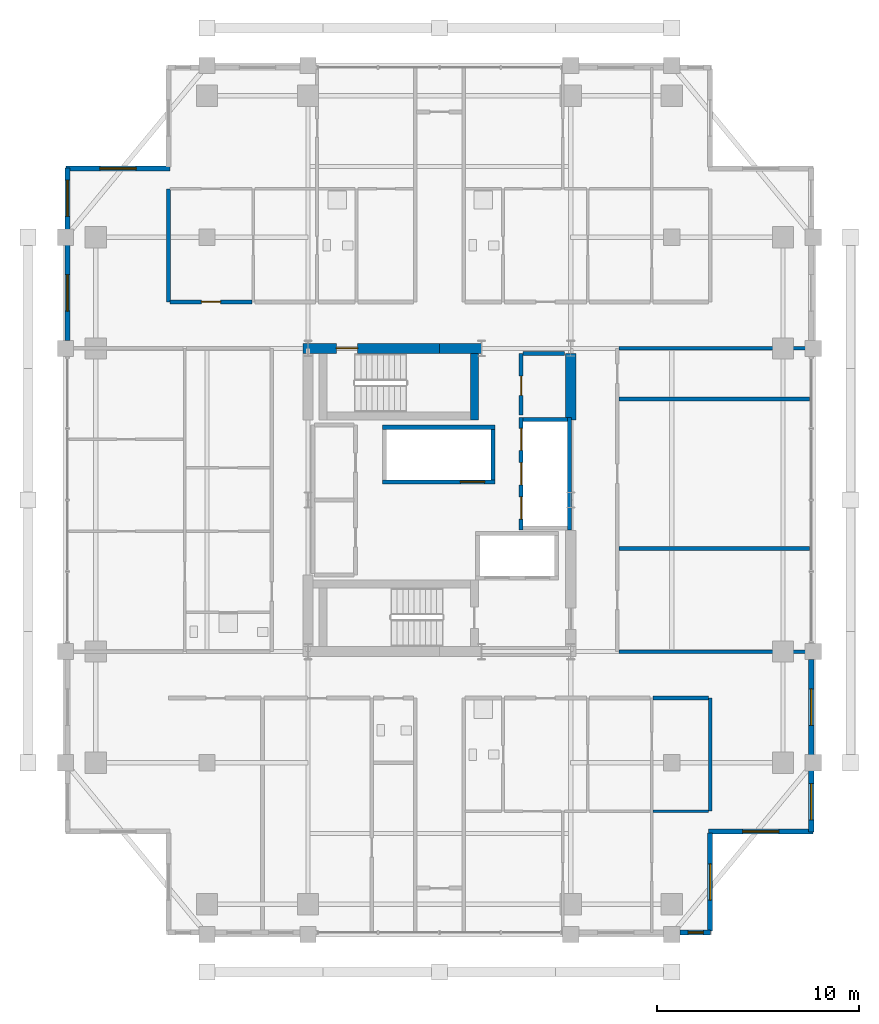
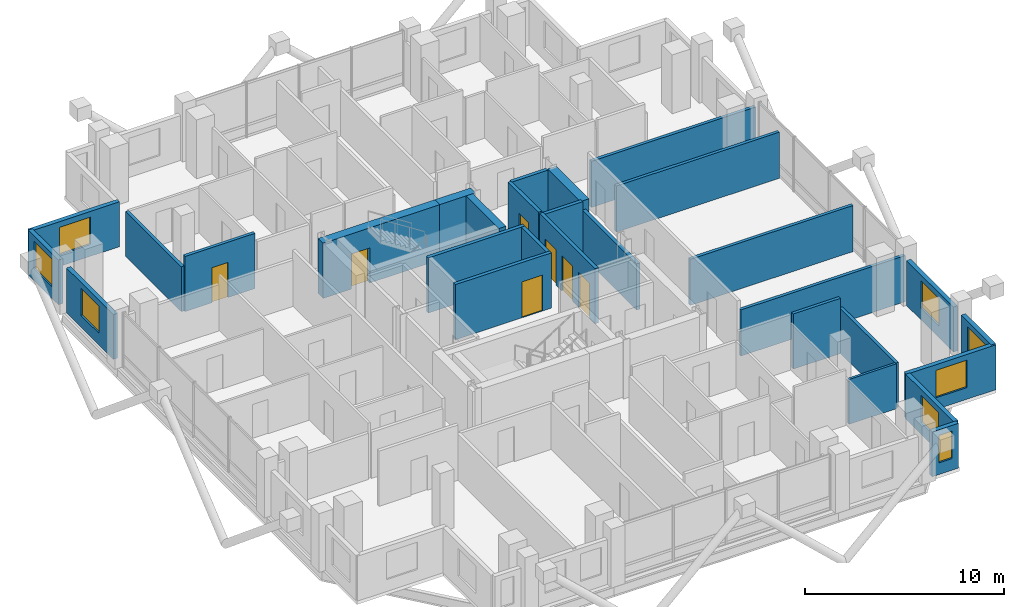
# One storey, part 20 of 24: 29 walls, 8 windows, 7 doors, 15 openings.
"""IFC4 building model written with IfcOpenShell, lengths in metres."""

from ifc_helpers import new_model, si_unit, direction, frame, frame_2d, origin, place, context, subcontext, project, spatial, rectangle, extrude, material, layer, layer_set, type_object, element, fill, save


model = new_model("IFC4")

# Units and contexts
model_context = context("Model", 3, precision=1e-05, world=origin(), true_north=direction((0.0, 1.0)))
body_context = subcontext(model_context, "Body", "Model", "MODEL_VIEW")
ifc_project = project(units=[si_unit("LENGTHUNIT", "METRE"), si_unit("AREAUNIT", "SQUARE_METRE"), si_unit("VOLUMEUNIT", "CUBIC_METRE"), si_unit("PLANEANGLEUNIT", "RADIAN"), si_unit("MASSUNIT", "GRAM", prefix="KILO")], contexts=[model_context])

# Site, building, storey
site_placement = place(None, origin())
site = spatial("IfcSite", under=ifc_project, at=site_placement, CompositionType="ELEMENT")
building_placement = place(site_placement, origin())
building = spatial("IfcBuilding", under=site, at=building_placement, Name="Barlavira Tower and Art Museum", CompositionType="ELEMENT")
storey_placement = place(building_placement, frame((0.0, 0.0, 183.60009765625)))
storey = spatial("IfcBuildingStorey", under=building, at=storey_placement, Name="L47", CompositionType="ELEMENT", Elevation=183.60009765625)

# Wall, opening, door
ifc_material_1 = material(Name="Concrete C60", Category="concrete")
ifc_layer_1 = layer(ifc_material_1, 0.5, Name="Concrete C60")
ifc_layer_set_1 = layer_set([ifc_layer_1], Name="Concrete C60")
wall_type_1 = type_object("IfcWallType", Name="Core Structural Shear Wall 500 Concrete C60", PredefinedType="SHEAR", material=ifc_layer_set_1)
wall_1_placement = place(storey_placement, frame((-6.75, 7.5, 0.0), z_axis=(0.0, 0.0, 1.0), x_axis=(1.0, 0.0, 0.0)))
wall_1 = element("IfcWall", 1, at=wall_1_placement, inside=storey, type_object=wall_type_1, Name="L47 Core Shear Wall CS-NW", PredefinedType="SHEAR", context=body_context, shape_type="SweptSolid", body=[
    extrude(rectangle(XDim=6.75, YDim=0.5, at=frame_2d((3.375, 0.0))), origin(), (0.0, 0.0, 1.0), 3.3798828125),
])
opening_1_placement = place(wall_1_placement, frame((1.64990234375, 0.0, 0.0)))
opening_1 = element("IfcOpeningElement", 2, at=opening_1_placement, cuts=wall_1, Name="Opening FD-90", PredefinedType="OPENING", context=body_context, shape_type="SweptSolid", body=[
    extrude(rectangle(XDim=1.050048828125, YDim=2.14990234375, at=frame_2d((0.52490234375, 1.074951171875))), frame((0.0, 0.260009765625, 0.0), z_axis=(0.0, -1.0, 0.0), x_axis=(1.0, 0.0, 0.0)), (0.0, 0.0, 1.0), 0.52001953125),
])
ifc_material_2 = material(Name="Brushed stainless steel", Category="steel")
door_type_1 = type_object("IfcDoorType", Name="Stair and Refuge Fire Door 1050x2150 FD90S", OperationType="NOTDEFINED", PredefinedType="DOOR", material=ifc_material_2)
door_1_placement = place(opening_1_placement, origin())
door_1 = element("IfcDoor", 3, at=door_1_placement, inside=storey, type_object=door_type_1, Name="L47 Stair ST-T2 Fire Door", OperationType="SINGLE_SWING_LEFT", OverallHeight=2.14990234375, OverallWidth=1.050048828125, PredefinedType="DOOR", context=body_context, shape_type="SweptSolid", body=[
    extrude(rectangle(XDim=1.050048828125, YDim=2.14990234375, at=frame_2d((0.52490234375, 1.074951171875))), frame((0.0, 0.02490234375, 0.0), z_axis=(0.0, -1.0, 0.0), x_axis=(1.0, 0.0, 0.0)), (0.0, 0.0, 1.0), 0.050048828125),
])
fill(opening_1, door_1)

# Walls
wall_2_placement = place(storey_placement, frame((0.0, 7.5, 0.0), z_axis=(0.0, 0.0, 1.0), x_axis=(1.0, 0.0, 0.0)))
element("IfcWall", 4, at=wall_2_placement, inside=storey, type_object=wall_type_1, Name="L47 Core Shear Wall CS-EN", PredefinedType="SHEAR", context=body_context, shape_type="SweptSolid", body=[
    extrude(rectangle(XDim=2.080078125, YDim=0.5, at=frame_2d((1.0400390625, 0.0))), origin(), (0.0, 0.0, 1.0), 3.3798828125),
])
wall_3_placement = place(storey_placement, frame((6.5, 3.949951171875, 0.0), z_axis=(0.0, 0.0, 1.0), x_axis=(0.0, 1.0, 0.0)))
element("IfcWall", 5, at=wall_3_placement, inside=storey, type_object=wall_type_1, Name="L47 Core Shear Wall CS-E2", PredefinedType="SHEAR", context=body_context, shape_type="SweptSolid", body=[
    extrude(rectangle(XDim=3.300048828125, YDim=0.5, at=frame_2d((1.64990234375, 0.0))), origin(), (0.0, 0.0, 1.0), 3.3798828125),
])

# Wall, openings, doors
ifc_material_3 = material(Name="Autoclaved aerated concrete masonry", Category="masonry")
ifc_layer_2 = layer(ifc_material_3, 0.199951171875, Name="Autoclaved aerated concrete masonry")
ifc_layer_set_2 = layer_set([ifc_layer_2], Name="Autoclaved aerated concrete masonry")
wall_type_2 = type_object("IfcWallType", Name="Fire Compartment and Shaft Wall 200", PredefinedType="SOLIDWALL", material=ifc_layer_set_2)
wall_4_placement = place(storey_placement, frame((4.050048828125, -1.489990234375, 0.0), z_axis=(0.0, 0.0, 1.0), x_axis=(0.0, 1.0, 0.0)))
wall_4 = element("IfcWall", 6, at=wall_4_placement, inside=storey, type_object=wall_type_2, Name="L47 Mid-Rise Lift Front Shaft Wall", PredefinedType="SOLIDWALL", context=body_context, shape_type="SweptSolid", body=[
    extrude(rectangle(XDim=5.580078125, YDim=0.199951171875, at=frame_2d((2.7900390625, 0.0))), origin(), (0.0, 0.0, 1.0), 3.3798828125),
])
opening_2_placement = place(wall_4_placement, frame((0.5400390625, 0.0, 0.0)))
opening_2 = element("IfcOpeningElement", 7, at=opening_2_placement, cuts=wall_4, Name="Opening LD-P", PredefinedType="OPENING", context=body_context, shape_type="SweptSolid", body=[
    extrude(rectangle(XDim=1.10009765625, YDim=2.14990234375, at=frame_2d((0.550048828125, 1.074951171875))), frame((0.0, 0.10986328125, 0.0), z_axis=(0.0, -1.0, 0.0), x_axis=(1.0, 0.0, 0.0)), (0.0, 0.0, 1.0), 0.219970703125),
])
opening_3_placement = place(wall_4_placement, frame((2.239990234375, 0.0, 0.0)))
opening_3 = element("IfcOpeningElement", 8, at=opening_3_placement, cuts=wall_4, Name="Opening LD-P", PredefinedType="OPENING", context=body_context, shape_type="SweptSolid", body=[
    extrude(rectangle(XDim=1.10009765625, YDim=2.14990234375, at=frame_2d((0.550048828125, 1.074951171875))), frame((0.0, 0.10986328125, 0.0), z_axis=(0.0, -1.0, 0.0), x_axis=(1.0, 0.0, 0.0)), (0.0, 0.0, 1.0), 0.219970703125),
])
opening_4_placement = place(wall_4_placement, frame((3.93994140625, 0.0, 0.0)))
opening_4 = element("IfcOpeningElement", 9, at=opening_4_placement, cuts=wall_4, Name="Opening LD-P", PredefinedType="OPENING", context=body_context, shape_type="SweptSolid", body=[
    extrude(rectangle(XDim=1.10009765625, YDim=2.14990234375, at=frame_2d((0.550048828125, 1.074951171875))), frame((0.0, 0.10986328125, 0.0), z_axis=(0.0, -1.0, 0.0), x_axis=(1.0, 0.0, 0.0)), (0.0, 0.0, 1.0), 0.219970703125),
])
door_type_2 = type_object("IfcDoorType", Name="Passenger Lift Sliding Landing Door 1100x2150 FD60", OperationType="NOTDEFINED", PredefinedType="DOOR", material=ifc_material_2)
door_2_placement = place(opening_2_placement, origin())
door_2 = element("IfcDoor", 10, at=door_2_placement, inside=storey, type_object=door_type_2, Name="L47 Lift PM1 Sliding Landing Door", OperationType="DOUBLE_DOOR_SLIDING", OverallHeight=2.14990234375, OverallWidth=1.10009765625, PredefinedType="DOOR", context=body_context, shape_type="SweptSolid", body=[
    extrude(rectangle(XDim=1.10009765625, YDim=2.14990234375, at=frame_2d((0.550048828125, 1.074951171875))), frame((0.0, 0.02490234375, 0.0), z_axis=(0.0, -1.0, 0.0), x_axis=(1.0, 0.0, 0.0)), (0.0, 0.0, 1.0), 0.050048828125),
])
fill(opening_2, door_2)
door_3_placement = place(opening_3_placement, origin())
door_3 = element("IfcDoor", 11, at=door_3_placement, inside=storey, type_object=door_type_2, Name="L47 Lift PM2 Sliding Landing Door", OperationType="DOUBLE_DOOR_SLIDING", OverallHeight=2.14990234375, OverallWidth=1.10009765625, PredefinedType="DOOR", context=body_context, shape_type="SweptSolid", body=[
    extrude(rectangle(XDim=1.10009765625, YDim=2.14990234375, at=frame_2d((0.550048828125, 1.074951171875))), frame((0.0, 0.02490234375, 0.0), z_axis=(0.0, -1.0, 0.0), x_axis=(1.0, 0.0, 0.0)), (0.0, 0.0, 1.0), 0.050048828125),
])
fill(opening_3, door_3)
door_4_placement = place(opening_4_placement, origin())
door_4 = element("IfcDoor", 12, at=door_4_placement, inside=storey, type_object=door_type_2, Name="L47 Lift PM3 Sliding Landing Door", OperationType="DOUBLE_DOOR_SLIDING", OverallHeight=2.14990234375, OverallWidth=1.10009765625, PredefinedType="DOOR", context=body_context, shape_type="SweptSolid", body=[
    extrude(rectangle(XDim=1.10009765625, YDim=2.14990234375, at=frame_2d((0.550048828125, 1.074951171875))), frame((0.0, 0.02490234375, 0.0), z_axis=(0.0, -1.0, 0.0), x_axis=(1.0, 0.0, 0.0)), (0.0, 0.0, 1.0), 0.050048828125),
])
fill(opening_4, door_4)

# Walls
wall_5_placement = place(storey_placement, frame((6.449951171875, -1.489990234375, 0.0), z_axis=(0.0, 0.0, 1.0), x_axis=(0.0, 1.0, 0.0)))
element("IfcWall", 13, at=wall_5_placement, inside=storey, type_object=wall_type_2, Name="L47 Mid-Rise Lift Back Shaft Wall", PredefinedType="SOLIDWALL", context=body_context, shape_type="SweptSolid", body=[
    extrude(rectangle(XDim=5.580078125, YDim=0.199951171875, at=frame_2d((2.7900390625, 0.0))), origin(), (0.0, 0.0, 1.0), 2.825927734375),
])
wall_6_placement = place(storey_placement, frame((4.14990234375, 3.989990234375, 0.0), z_axis=(0.0, 0.0, 1.0), x_axis=(1.0, 0.0, 0.0)))
element("IfcWall", 14, at=wall_6_placement, inside=storey, type_object=wall_type_2, Name="L47 Mid-Rise Lift North Shaft Wall", PredefinedType="SOLIDWALL", context=body_context, shape_type="SweptSolid", body=[
    extrude(rectangle(XDim=2.2001953125, YDim=0.199951171875, at=frame_2d((1.10009765625, 0.0))), origin(), (0.0, 0.0, 1.0), 3.3798828125),
])

# Wall, opening, door
wall_7_placement = place(storey_placement, frame((-2.820068359375, 0.89990234375, 0.0), z_axis=(0.0, 0.0, 1.0), x_axis=(1.0, 0.0, 0.0)))
wall_7 = element("IfcWall", 15, at=wall_7_placement, inside=storey, type_object=wall_type_2, Name="L47 High-Rise & Service Lift Front Wall", PredefinedType="SOLIDWALL", context=body_context, shape_type="SweptSolid", body=[
    extrude(rectangle(XDim=5.580078125, YDim=0.199951171875, at=frame_2d((2.7900390625, 0.0))), origin(), (0.0, 0.0, 1.0), 3.3798828125),
])
opening_5_placement = place(wall_7_placement, frame((3.860107421875, 0.0, 0.0)))
opening_5 = element("IfcOpeningElement", 16, at=opening_5_placement, cuts=wall_7, Name="Opening LD-F", PredefinedType="OPENING", context=body_context, shape_type="SweptSolid", body=[
    extrude(rectangle(XDim=1.199951171875, YDim=2.199951171875, at=frame_2d((0.60009765625, 1.10009765625))), frame((0.0, 0.10986328125, 0.0), z_axis=(0.0, -1.0, 0.0), x_axis=(1.0, 0.0, 0.0)), (0.0, 0.0, 1.0), 0.219970703125),
])
door_type_3 = type_object("IfcDoorType", Name="Firefighting and Service Lift Sliding Door 1200x2200 FD120", OperationType="NOTDEFINED", PredefinedType="DOOR", material=ifc_material_2)
door_5_placement = place(opening_5_placement, origin())
door_5 = element("IfcDoor", 17, at=door_5_placement, inside=storey, type_object=door_type_3, Name="L47 Stretcher Service Lift SL1 Sliding Door", OperationType="DOUBLE_DOOR_SLIDING", OverallHeight=2.199951171875, OverallWidth=1.199951171875, PredefinedType="DOOR", context=body_context, shape_type="SweptSolid", body=[
    extrude(rectangle(XDim=1.199951171875, YDim=2.199951171875, at=frame_2d((0.60009765625, 1.10009765625))), frame((0.0, 0.02490234375, 0.0), z_axis=(0.0, -1.0, 0.0), x_axis=(1.0, 0.0, 0.0)), (0.0, 0.0, 1.0), 0.050048828125),
])
fill(opening_5, door_5)

# Walls
wall_8_placement = place(storey_placement, frame((-2.820068359375, 3.60009765625, 0.0), z_axis=(0.0, 0.0, 1.0), x_axis=(1.0, 0.0, 0.0)))
element("IfcWall", 18, at=wall_8_placement, inside=storey, type_object=wall_type_2, Name="L47 High-Rise & Service Lift Back Wall", PredefinedType="SOLIDWALL", context=body_context, shape_type="SweptSolid", body=[
    extrude(rectangle(XDim=5.580078125, YDim=0.199951171875, at=frame_2d((2.7900390625, 0.0))), origin(), (0.0, 0.0, 1.0), 3.3798828125),
])
wall_9_placement = place(storey_placement, frame((2.659912109375, 1.0, 0.0), z_axis=(0.0, 0.0, 1.0), x_axis=(0.0, 1.0, 0.0)))
element("IfcWall", 19, at=wall_9_placement, inside=storey, type_object=wall_type_2, Name="L47 High-Rise & Service Lift East Wall", PredefinedType="SOLIDWALL", context=body_context, shape_type="SweptSolid", body=[
    extrude(rectangle(XDim=2.5, YDim=0.199951171875, at=frame_2d((1.25, 0.0))), origin(), (0.0, 0.0, 1.0), 3.3798828125),
])

# Wall, opening, door
wall_10_placement = place(storey_placement, frame((4.050048828125, 4.199951171875, 0.0), z_axis=(0.0, 0.0, 1.0), x_axis=(0.0, 1.0, 0.0)))
wall_10 = element("IfcWall", 20, at=wall_10_placement, inside=storey, type_object=wall_type_2, Name="L47 Partition Wall 17", PredefinedType="SOLIDWALL", context=body_context, shape_type="SweptSolid", body=[
    extrude(rectangle(XDim=3.050048828125, YDim=0.199951171875, at=frame_2d((1.52490234375, 0.0))), origin(), (0.0, 0.0, 1.0), 3.3798828125),
])
opening_6_placement = place(wall_10_placement, frame((0.97509765625, 0.0, 0.0)))
opening_6 = element("IfcOpeningElement", 21, at=opening_6_placement, cuts=wall_10, Name="Opening FD-60", PredefinedType="OPENING", context=body_context, shape_type="SweptSolid", body=[
    extrude(rectangle(XDim=0.949951171875, YDim=2.14990234375, at=frame_2d((0.47509765625, 1.074951171875))), frame((0.0, 0.10986328125, 0.0), z_axis=(0.0, -1.0, 0.0), x_axis=(1.0, 0.0, 0.0)), (0.0, 0.0, 1.0), 0.219970703125),
])
door_type_4 = type_object("IfcDoorType", Name="Apartment Entrance and Riser Fire Door 950x2150 FD60S", OperationType="NOTDEFINED", PredefinedType="DOOR", material=ifc_material_2)
door_6_placement = place(opening_6_placement, origin())
door_6 = element("IfcDoor", 22, at=door_6_placement, inside=storey, type_object=door_type_4, Name="Combined Electrical and Telecom Plant Room Door", OperationType="SINGLE_SWING_LEFT", OverallHeight=2.14990234375, OverallWidth=0.949951171875, PredefinedType="DOOR", context=body_context, shape_type="SweptSolid", body=[
    extrude(rectangle(XDim=0.949951171875, YDim=2.14990234375, at=frame_2d((0.47509765625, 1.074951171875))), frame((0.0, 0.02490234375, 0.0), z_axis=(0.0, -1.0, 0.0), x_axis=(1.0, 0.0, 0.0)), (0.0, 0.0, 1.0), 0.050048828125),
])
fill(opening_6, door_6)

# Walls
wall_11_placement = place(storey_placement, frame((4.1298828125, 7.25, 0.0), z_axis=(0.0, 0.0, 1.0), x_axis=(1.0, 0.0, 0.0)))
element("IfcWall", 23, at=wall_11_placement, inside=storey, type_object=wall_type_2, Name="L47 Partition Wall 54", PredefinedType="SOLIDWALL", context=body_context, shape_type="SweptSolid", body=[
    extrude(rectangle(XDim=2.070068359375, YDim=0.199951171875, at=frame_2d((1.03515625, 0.0))), origin(), (0.0, 0.0, 1.0), 3.3798828125),
])
ifc_material_4 = material(Name="Gypsum acoustic stud partition", Category="gypsum")
ifc_layer_3 = layer(ifc_material_4, 0.179931640625, Name="Gypsum acoustic stud partition")
ifc_layer_set_3 = layer_set([ifc_layer_3], Name="Gypsum acoustic stud partition")
wall_type_3 = type_object("IfcWallType", Name="Inter-Tenancy Party Partition Wall 180", PredefinedType="PARTITIONING", material=ifc_layer_set_3)
for number, where, z_axis, x_axis, name in (
    (24, (-13.39990234375, 9.800048828125, 0.0), (0.0, 0.0, 1.0), (0.0, 1.0, 0.0), "L47 Partition Wall 1"),
    (25, (13.39990234375, -15.39990234375, 0.0), (0.0, 0.0, 1.0), (0.0, 1.0, 0.0), "L47 Partition Wall 25"),
):
    element("IfcWall", number, at=place(storey_placement, frame(where, z_axis=z_axis, x_axis=x_axis)), inside=storey, type_object=wall_type_3, Name=name, PredefinedType="PARTITIONING", context=body_context, shape_type="SweptSolid", body=[
        extrude(rectangle(XDim=5.599853515625, YDim=0.179931640625, at=frame_2d((2.7998046875, 0.0))), origin(), (0.0, 0.0, 1.0), 2.747802734375),
    ])
wall_12_placement = place(storey_placement, frame((10.580078125, -9.800048828125, 0.0), z_axis=(0.0, 0.0, 1.0), x_axis=(1.0, 0.0, 0.0)))
element("IfcWall", 26, at=wall_12_placement, inside=storey, type_object=wall_type_3, Name="L47 Partition Wall 40", PredefinedType="PARTITIONING", context=body_context, shape_type="SweptSolid", body=[
    extrude(rectangle(XDim=2.739990234375, YDim=0.179931640625, at=frame_2d((1.3701171875, 0.0))), origin(), (0.0, 0.0, 1.0), 3.3798828125),
])
wall_13_placement = place(storey_placement, frame((8.8798828125, -7.5, 0.0), z_axis=(0.0, 0.0, 1.0), x_axis=(1.0, 0.0, 0.0)))
element("IfcWall", 27, at=wall_13_placement, inside=storey, type_object=wall_type_3, Name="L47 Partition Wall 43", PredefinedType="PARTITIONING", context=body_context, shape_type="SweptSolid", body=[
    extrude(rectangle(XDim=9.52001953125, YDim=0.179931640625, at=frame_2d((4.760009765625, 0.0))), origin(), (0.0, 0.0, 1.0), 2.825927734375),
])
for number, where, z_axis, x_axis, name in (
    (28, (8.8798828125, -2.39990234375, 0.0), (0.0, 0.0, 1.0), (1.0, 0.0, 0.0), "L47 Partition Wall 46"),
    (29, (8.8798828125, 5.0, 0.0), (0.0, 0.0, 1.0), (1.0, 0.0, 0.0), "L47 Partition Wall 53"),
):
    element("IfcWall", number, at=place(storey_placement, frame(where, z_axis=z_axis, x_axis=x_axis)), inside=storey, type_object=wall_type_3, Name=name, PredefinedType="PARTITIONING", context=body_context, shape_type="SweptSolid", body=[
        extrude(rectangle(XDim=9.440185546875, YDim=0.179931640625, at=frame_2d((4.72021484375, 0.0))), origin(), (0.0, 0.0, 1.0), 2.825927734375),
    ])
wall_14_placement = place(storey_placement, frame((8.8798828125, 7.5, 0.0), z_axis=(0.0, 0.0, 1.0), x_axis=(1.0, 0.0, 0.0)))
element("IfcWall", 30, at=wall_14_placement, inside=storey, type_object=wall_type_3, Name="L47 Partition Wall 57", PredefinedType="PARTITIONING", context=body_context, shape_type="SweptSolid", body=[
    extrude(rectangle(XDim=9.52001953125, YDim=0.179931640625, at=frame_2d((4.760009765625, 0.0))), origin(), (0.0, 0.0, 1.0), 2.825927734375),
])

# Wall, opening, door
wall_15_placement = place(storey_placement, frame((-13.320068359375, 9.800048828125, 0.0), z_axis=(0.0, 0.0, 1.0), x_axis=(1.0, 0.0, 0.0)))
wall_15 = element("IfcWall", 31, at=wall_15_placement, inside=storey, type_object=wall_type_3, Name="L47 Partition Wall 58", PredefinedType="PARTITIONING", context=body_context, shape_type="SweptSolid", body=[
    extrude(rectangle(XDim=4.0400390625, YDim=0.179931640625, at=frame_2d((2.02001953125, 0.0))), origin(), (0.0, 0.0, 1.0), 3.3798828125),
])
opening_7_placement = place(wall_15_placement, frame((1.544921875, 0.0, 0.0)))
opening_7 = element("IfcOpeningElement", 32, at=opening_7_placement, cuts=wall_15, Name="Opening FD-60", PredefinedType="OPENING", context=body_context, shape_type="SweptSolid", body=[
    extrude(rectangle(XDim=0.949951171875, YDim=2.14990234375, at=frame_2d((0.47509765625, 1.074951171875))), frame((0.0, 0.10009765625, 0.0), z_axis=(0.0, -1.0, 0.0), x_axis=(1.0, 0.0, 0.0)), (0.0, 0.0, 1.0), 0.199951171875),
])
door_7_placement = place(opening_7_placement, origin())
door_7 = element("IfcDoor", 33, at=door_7_placement, inside=storey, type_object=door_type_4, Name="Apartment Entrance Hall NW1 Door", OperationType="SINGLE_SWING_LEFT", OverallHeight=2.14990234375, OverallWidth=0.949951171875, PredefinedType="DOOR", context=body_context, shape_type="SweptSolid", body=[
    extrude(rectangle(XDim=0.949951171875, YDim=2.14990234375, at=frame_2d((0.47509765625, 1.074951171875))), frame((0.0, 0.02490234375, 0.0), z_axis=(0.0, -1.0, 0.0), x_axis=(1.0, 0.0, 0.0)), (0.0, 0.0, 1.0), 0.050048828125),
])
fill(opening_7, door_7)

# Wall
ifc_layer_4 = layer(ifc_material_4, 0.139892578125, Name="Gypsum acoustic stud partition")
ifc_layer_set_4 = layer_set([ifc_layer_4], Name="Gypsum acoustic stud partition")
wall_type_4 = type_object("IfcWallType", Name="Moisture-Resistant Bathroom Partition 140", PredefinedType="PARTITIONING", material=ifc_layer_set_4)
wall_16_placement = place(storey_placement, frame((10.580078125, -15.39990234375, 0.0), z_axis=(0.0, 0.0, 1.0), x_axis=(1.0, 0.0, 0.0)))
element("IfcWall", 34, at=wall_16_placement, inside=storey, type_object=wall_type_4, Name="L47 Partition Wall 32", PredefinedType="PARTITIONING", context=body_context, shape_type="SweptSolid", body=[
    extrude(rectangle(XDim=2.739990234375, YDim=0.139892578125, at=frame_2d((1.3701171875, 0.0))), origin(), (0.0, 0.0, 1.0), 2.747802734375),
])

# Wall, opening, window
ifc_material_5 = material(Name="Precast concrete C40", Category="concrete")
ifc_layer_5 = layer(ifc_material_5, 0.25, Name="Precast concrete C40")
ifc_layer_set_5 = layer_set([ifc_layer_5], Name="Precast concrete C40")
wall_type_5 = type_object("IfcWallType", Name="Notched Corner Spandrel Wall 250 Precast Concrete C40", PredefinedType="SOLIDWALL", material=ifc_layer_set_5)
wall_17_placement = place(storey_placement, frame((11.89501953125, -21.39990234375, 0.0), z_axis=(0.0, 0.0, 1.0), x_axis=(1.0, 0.0, 0.0)))
wall_17 = element("IfcWall", 35, at=wall_17_placement, inside=storey, type_object=wall_type_5, Name="L47 Coastal Facade Pier Wall CW3-L47-S-5", PredefinedType="SOLIDWALL", context=body_context, shape_type="SweptSolid", body=[
    extrude(rectangle(XDim=1.530029296875, YDim=0.25, at=frame_2d((0.76513671875, 0.0))), origin(), (0.0, 0.0, 1.0), 2.747802734375),
])
opening_8_placement = place(wall_17_placement, frame((0.407958984375, 0.0, 0.719970703125)))
opening_8 = element("IfcOpeningElement", 36, at=opening_8_placement, cuts=wall_17, Name="Opening WN-06", PredefinedType="OPENING", context=body_context, shape_type="SweptSolid", body=[
    extrude(rectangle(XDim=0.760009765625, YDim=1.679931640625, at=frame_2d((0.3798828125, 0.83984375))), frame((0.0, 0.135009765625, 0.0), z_axis=(0.0, -1.0, 0.0), x_axis=(1.0, 0.0, 0.0)), (0.0, 0.0, 1.0), 0.27001953125),
])
ifc_material_6 = material(Name="Low-iron coastal laminated glass", Category="glass")
window_type_1 = type_object("IfcWindowType", Name="Recessed Narrow Pier Window 760x1680", PartitioningType="SINGLE_PANEL", PredefinedType="WINDOW", material=ifc_material_6)
window_1_placement = place(opening_8_placement, origin())
window_1 = element("IfcWindow", 37, at=window_1_placement, inside=storey, type_object=window_type_1, Name="L47 Punched Facade Window EWP-CW3-L47-S-5-1", OverallHeight=1.679931640625, OverallWidth=0.760009765625, PartitioningType="SINGLE_PANEL", PredefinedType="WINDOW", context=body_context, shape_type="SweptSolid", body=[
    extrude(rectangle(XDim=0.760009765625, YDim=1.679931640625, at=frame_2d((0.3798828125, 0.83984375))), frame((0.0, 0.030029296875, 0.0), z_axis=(0.0, -1.0, 0.0), x_axis=(1.0, 0.0, 0.0)), (0.0, 0.0, 1.0), 0.06005859375),
])
fill(opening_8, window_1)

wall_18_placement = place(storey_placement, frame((-18.39990234375, 16.425048828125, 0.0), z_axis=(0.0, 0.0, 1.0), x_axis=(0.0, -1.0, 0.0)))
wall_18 = element("IfcWall", 38, at=wall_18_placement, inside=storey, type_object=wall_type_5, Name="L47 Coastal Facade Pier Wall CW3-L47-W-1", PredefinedType="SOLIDWALL", context=body_context, shape_type="SweptSolid", body=[
    extrude(rectangle(XDim=3.030029296875, YDim=0.25, at=frame_2d((1.51513671875, 0.0))), origin(), (0.0, 0.0, 1.0), 2.747802734375),
])
opening_9_placement = place(wall_18_placement, frame((0.593017578125, 0.0, 0.719970703125)))
opening_9 = element("IfcOpeningElement", 39, at=opening_9_placement, cuts=wall_18, Name="Opening WN-01", PredefinedType="OPENING", context=body_context, shape_type="SweptSolid", body=[
    extrude(rectangle(XDim=1.800048828125, YDim=1.679931640625, at=frame_2d((0.89990234375, 0.83984375))), frame((0.0, 0.135009765625, 0.0), z_axis=(0.0, -1.0, 0.0), x_axis=(1.0, 0.0, 0.0)), (0.0, 0.0, 1.0), 0.27001953125),
])
window_type_2 = type_object("IfcWindowType", Name="Recessed Notch Corner Punch Window 1800x1680", PartitioningType="SINGLE_PANEL", PredefinedType="WINDOW", material=ifc_material_6)
window_2_placement = place(opening_9_placement, origin())
window_2 = element("IfcWindow", 40, at=window_2_placement, inside=storey, type_object=window_type_2, Name="L47 Punched Facade Window EWP-CW3-L47-W-1-1", OverallHeight=1.679931640625, OverallWidth=1.800048828125, PartitioningType="SINGLE_PANEL", PredefinedType="WINDOW", context=body_context, shape_type="SweptSolid", body=[
    extrude(rectangle(XDim=1.800048828125, YDim=1.679931640625, at=frame_2d((0.89990234375, 0.83984375))), frame((0.0, 0.030029296875, 0.0), z_axis=(0.0, -1.0, 0.0), x_axis=(1.0, 0.0, 0.0)), (0.0, 0.0, 1.0), 0.06005859375),
])
fill(opening_9, window_2)

wall_19_placement = place(storey_placement, frame((-18.39990234375, 12.60498046875, 0.0), z_axis=(0.0, 0.0, 1.0), x_axis=(0.0, -1.0, 0.0)))
wall_19 = element("IfcWall", 41, at=wall_19_placement, inside=storey, type_object=wall_type_5, Name="L47 Coastal Facade Pier Wall CW3-L47-W-2", PredefinedType="SOLIDWALL", context=body_context, shape_type="SweptSolid", body=[
    extrude(rectangle(XDim=4.7099609375, YDim=0.25, at=frame_2d((2.35498046875, 0.0))), origin(), (0.0, 0.0, 1.0), 2.747802734375),
])
opening_10_placement = place(wall_19_placement, frame((1.455078125, 0.0, 0.719970703125)))
opening_10 = element("IfcOpeningElement", 42, at=opening_10_placement, cuts=wall_19, Name="Opening WN-01", PredefinedType="OPENING", context=body_context, shape_type="SweptSolid", body=[
    extrude(rectangle(XDim=1.800048828125, YDim=1.679931640625, at=frame_2d((0.89990234375, 0.83984375))), frame((0.0, 0.135009765625, 0.0), z_axis=(0.0, -1.0, 0.0), x_axis=(1.0, 0.0, 0.0)), (0.0, 0.0, 1.0), 0.27001953125),
])
window_3_placement = place(opening_10_placement, origin())
window_3 = element("IfcWindow", 43, at=window_3_placement, inside=storey, type_object=window_type_2, Name="L47 Punched Facade Window EWP-CW3-L47-W-2-1", OverallHeight=1.679931640625, OverallWidth=1.800048828125, PartitioningType="SINGLE_PANEL", PredefinedType="WINDOW", context=body_context, shape_type="SweptSolid", body=[
    extrude(rectangle(XDim=1.800048828125, YDim=1.679931640625, at=frame_2d((0.89990234375, 0.83984375))), frame((0.0, 0.030029296875, 0.0), z_axis=(0.0, -1.0, 0.0), x_axis=(1.0, 0.0, 0.0)), (0.0, 0.0, 1.0), 0.06005859375),
])
fill(opening_10, window_3)

wall_20_placement = place(storey_placement, frame((18.39990234375, -16.425048828125, 0.0), z_axis=(0.0, 0.0, 1.0), x_axis=(0.0, 1.0, 0.0)))
wall_20 = element("IfcWall", 44, at=wall_20_placement, inside=storey, type_object=wall_type_5, Name="L47 Coastal Facade Pier Wall CW3-L47-E-1", PredefinedType="SOLIDWALL", context=body_context, shape_type="SweptSolid", body=[
    extrude(rectangle(XDim=3.030029296875, YDim=0.25, at=frame_2d((1.51513671875, 0.0))), origin(), (0.0, 0.0, 1.0), 2.747802734375),
])
opening_11_placement = place(wall_20_placement, frame((0.593017578125, 0.0, 0.719970703125)))
opening_11 = element("IfcOpeningElement", 45, at=opening_11_placement, cuts=wall_20, Name="Opening WN-01", PredefinedType="OPENING", context=body_context, shape_type="SweptSolid", body=[
    extrude(rectangle(XDim=1.800048828125, YDim=1.679931640625, at=frame_2d((0.89990234375, 0.83984375))), frame((0.0, 0.135009765625, 0.0), z_axis=(0.0, -1.0, 0.0), x_axis=(1.0, 0.0, 0.0)), (0.0, 0.0, 1.0), 0.27001953125),
])
window_4_placement = place(opening_11_placement, origin())
window_4 = element("IfcWindow", 46, at=window_4_placement, inside=storey, type_object=window_type_2, Name="L47 Punched Facade Window EWP-CW3-L47-E-1-1", OverallHeight=1.679931640625, OverallWidth=1.800048828125, PartitioningType="SINGLE_PANEL", PredefinedType="WINDOW", context=body_context, shape_type="SweptSolid", body=[
    extrude(rectangle(XDim=1.800048828125, YDim=1.679931640625, at=frame_2d((0.89990234375, 0.83984375))), frame((0.0, 0.030029296875, 0.0), z_axis=(0.0, -1.0, 0.0), x_axis=(1.0, 0.0, 0.0)), (0.0, 0.0, 1.0), 0.06005859375),
])
fill(opening_11, window_4)

wall_21_placement = place(storey_placement, frame((18.39990234375, -12.60498046875, 0.0), z_axis=(0.0, 0.0, 1.0), x_axis=(0.0, 1.0, 0.0)))
wall_21 = element("IfcWall", 47, at=wall_21_placement, inside=storey, type_object=wall_type_5, Name="L47 Coastal Facade Pier Wall CW3-L47-E-2", PredefinedType="SOLIDWALL", context=body_context, shape_type="SweptSolid", body=[
    extrude(rectangle(XDim=4.7099609375, YDim=0.25, at=frame_2d((2.35498046875, 0.0))), origin(), (0.0, 0.0, 1.0), 2.747802734375),
])
opening_12_placement = place(wall_21_placement, frame((1.455078125, 0.0, 0.719970703125)))
opening_12 = element("IfcOpeningElement", 48, at=opening_12_placement, cuts=wall_21, Name="Opening WN-01", PredefinedType="OPENING", context=body_context, shape_type="SweptSolid", body=[
    extrude(rectangle(XDim=1.800048828125, YDim=1.679931640625, at=frame_2d((0.89990234375, 0.83984375))), frame((0.0, 0.135009765625, 0.0), z_axis=(0.0, -1.0, 0.0), x_axis=(1.0, 0.0, 0.0)), (0.0, 0.0, 1.0), 0.27001953125),
])
window_5_placement = place(opening_12_placement, origin())
window_5 = element("IfcWindow", 49, at=window_5_placement, inside=storey, type_object=window_type_2, Name="L47 Punched Facade Window EWP-CW3-L47-E-2-1", OverallHeight=1.679931640625, OverallWidth=1.800048828125, PartitioningType="SINGLE_PANEL", PredefinedType="WINDOW", context=body_context, shape_type="SweptSolid", body=[
    extrude(rectangle(XDim=1.800048828125, YDim=1.679931640625, at=frame_2d((0.89990234375, 0.83984375))), frame((0.0, 0.030029296875, 0.0), z_axis=(0.0, -1.0, 0.0), x_axis=(1.0, 0.0, 0.0)), (0.0, 0.0, 1.0), 0.06005859375),
])
fill(opening_12, window_5)

wall_22_placement = place(storey_placement, frame((13.39990234375, -21.320068359375, 0.0), z_axis=(0.0, 0.0, 1.0), x_axis=(0.0, 1.0, 0.0)))
wall_22 = element("IfcWall", 50, at=wall_22_placement, inside=storey, type_object=wall_type_5, Name="L47 Notch Corner Wall SE1", PredefinedType="SOLIDWALL", context=body_context, shape_type="SweptSolid", body=[
    extrude(rectangle(XDim=4.840087890625, YDim=0.25, at=frame_2d((2.419921875, 0.0))), origin(), (0.0, 0.0, 1.0), 2.747802734375),
])
opening_13_placement = place(wall_22_placement, frame((1.52001953125, 0.0, 0.719970703125)))
opening_13 = element("IfcOpeningElement", 51, at=opening_13_placement, cuts=wall_22, Name="Opening WN-01", PredefinedType="OPENING", context=body_context, shape_type="SweptSolid", body=[
    extrude(rectangle(XDim=1.800048828125, YDim=1.679931640625, at=frame_2d((0.89990234375, 0.83984375))), frame((0.0, 0.135009765625, 0.0), z_axis=(0.0, -1.0, 0.0), x_axis=(1.0, 0.0, 0.0)), (0.0, 0.0, 1.0), 0.27001953125),
])
window_6_placement = place(opening_13_placement, origin())
window_6 = element("IfcWindow", 52, at=window_6_placement, inside=storey, type_object=window_type_2, Name="L47 Punched Facade Window EW-NTC-L47-SE1-1", OverallHeight=1.679931640625, OverallWidth=1.800048828125, PartitioningType="SINGLE_PANEL", PredefinedType="WINDOW", context=body_context, shape_type="SweptSolid", body=[
    extrude(rectangle(XDim=1.800048828125, YDim=1.679931640625, at=frame_2d((0.89990234375, 0.83984375))), frame((0.0, 0.030029296875, 0.0), z_axis=(0.0, -1.0, 0.0), x_axis=(1.0, 0.0, 0.0)), (0.0, 0.0, 1.0), 0.06005859375),
])
fill(opening_13, window_6)

wall_23_placement = place(storey_placement, frame((13.320068359375, -16.39990234375, 0.0), z_axis=(0.0, 0.0, 1.0), x_axis=(1.0, 0.0, 0.0)))
wall_23 = element("IfcWall", 53, at=wall_23_placement, inside=storey, type_object=wall_type_5, Name="L47 Notch Corner Wall SE2", PredefinedType="SOLIDWALL", context=body_context, shape_type="SweptSolid", body=[
    extrude(rectangle(XDim=5.159912109375, YDim=0.25, at=frame_2d((2.580078125, 0.0))), origin(), (0.0, 0.0, 1.0), 2.747802734375),
])
opening_14_placement = place(wall_23_placement, frame((1.679931640625, 0.0, 0.719970703125)))
opening_14 = element("IfcOpeningElement", 54, at=opening_14_placement, cuts=wall_23, Name="Opening WN-01", PredefinedType="OPENING", context=body_context, shape_type="SweptSolid", body=[
    extrude(rectangle(XDim=1.800048828125, YDim=1.679931640625, at=frame_2d((0.89990234375, 0.83984375))), frame((0.0, 0.135009765625, 0.0), z_axis=(0.0, -1.0, 0.0), x_axis=(1.0, 0.0, 0.0)), (0.0, 0.0, 1.0), 0.27001953125),
])
window_7_placement = place(opening_14_placement, origin())
window_7 = element("IfcWindow", 55, at=window_7_placement, inside=storey, type_object=window_type_2, Name="L47 Punched Facade Window EW-NTC-L47-SE2-1", OverallHeight=1.679931640625, OverallWidth=1.800048828125, PartitioningType="SINGLE_PANEL", PredefinedType="WINDOW", context=body_context, shape_type="SweptSolid", body=[
    extrude(rectangle(XDim=1.800048828125, YDim=1.679931640625, at=frame_2d((0.89990234375, 0.83984375))), frame((0.0, 0.030029296875, 0.0), z_axis=(0.0, -1.0, 0.0), x_axis=(1.0, 0.0, 0.0)), (0.0, 0.0, 1.0), 0.06005859375),
])
fill(opening_14, window_7)

wall_24_placement = place(storey_placement, frame((-13.320068359375, 16.39990234375, 0.0), z_axis=(0.0, 0.0, 1.0), x_axis=(-1.0, 0.0, 0.0)))
wall_24 = element("IfcWall", 56, at=wall_24_placement, inside=storey, type_object=wall_type_5, Name="L47 Notch Corner Wall NW2", PredefinedType="SOLIDWALL", context=body_context, shape_type="SweptSolid", body=[
    extrude(rectangle(XDim=5.159912109375, YDim=0.25, at=frame_2d((2.580078125, 0.0))), origin(), (0.0, 0.0, 1.0), 2.747802734375),
])
opening_15_placement = place(wall_24_placement, frame((1.679931640625, 0.0, 0.719970703125)))
opening_15 = element("IfcOpeningElement", 57, at=opening_15_placement, cuts=wall_24, Name="Opening WN-01", PredefinedType="OPENING", context=body_context, shape_type="SweptSolid", body=[
    extrude(rectangle(XDim=1.800048828125, YDim=1.679931640625, at=frame_2d((0.89990234375, 0.83984375))), frame((0.0, 0.135009765625, 0.0), z_axis=(0.0, -1.0, 0.0), x_axis=(1.0, 0.0, 0.0)), (0.0, 0.0, 1.0), 0.27001953125),
])
window_8_placement = place(opening_15_placement, origin())
window_8 = element("IfcWindow", 58, at=window_8_placement, inside=storey, type_object=window_type_2, Name="L47 Punched Facade Window EW-NTC-L47-NW2-1", OverallHeight=1.679931640625, OverallWidth=1.800048828125, PartitioningType="SINGLE_PANEL", PredefinedType="WINDOW", context=body_context, shape_type="SweptSolid", body=[
    extrude(rectangle(XDim=1.800048828125, YDim=1.679931640625, at=frame_2d((0.89990234375, 0.83984375))), frame((0.0, 0.030029296875, 0.0), z_axis=(0.0, -1.0, 0.0), x_axis=(1.0, 0.0, 0.0)), (0.0, 0.0, 1.0), 0.06005859375),
])
fill(opening_15, window_8)

# Wall
ifc_material_7 = material(Name="Concrete C55", Category="concrete")
ifc_layer_6 = layer(ifc_material_7, 0.39990234375, Name="Concrete C55")
ifc_layer_set_6 = layer_set([ifc_layer_6], Name="Concrete C55")
wall_type_6 = type_object("IfcWallType", Name="Upper Core Shear Wall 400 Concrete C55", PredefinedType="SHEAR", material=ifc_layer_set_6)
wall_25_placement = place(storey_placement, frame((1.72998046875, 3.949951171875, 0.0), z_axis=(0.0, 0.0, 1.0), x_axis=(0.0, 1.0, 0.0)))
element("IfcWall", 59, at=wall_25_placement, inside=storey, type_object=wall_type_6, Name="L47 ST-T2 East Half-Landing Wall", PredefinedType="SHEAR", context=body_context, shape_type="SweptSolid", body=[
    extrude(rectangle(XDim=3.300048828125, YDim=0.39990234375, at=frame_2d((1.64990234375, 0.0))), origin(), (0.0, 0.0, 1.0), 3.3798828125),
])

save(model, "model.ifc")
